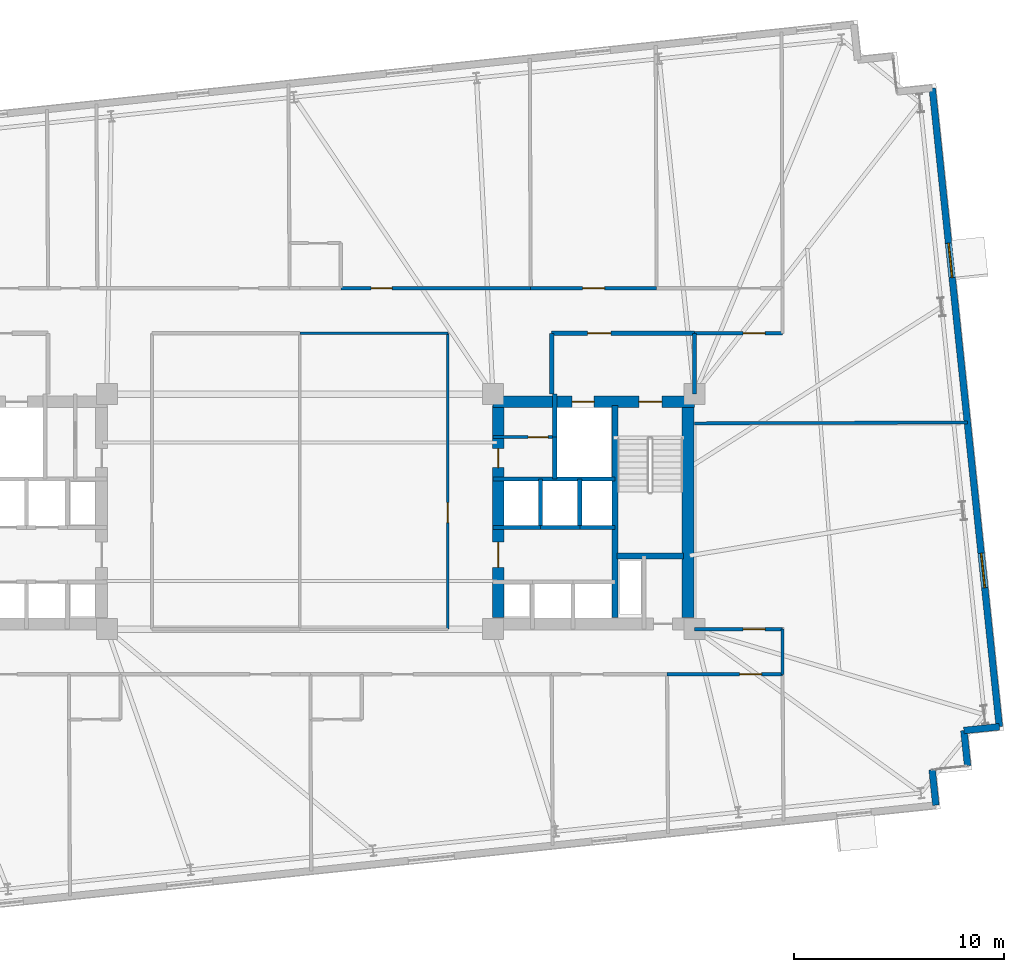
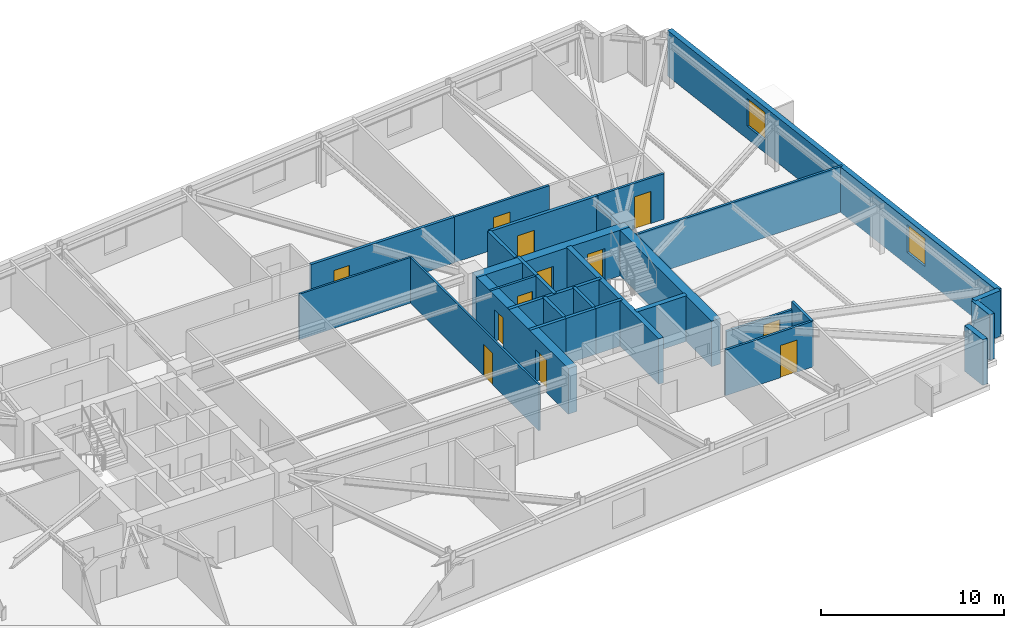
# One storey, part 14 of 18: 30 walls, 12 doors, 2 windows, 14 openings.
"""IFC4 building model written with IfcOpenShell, lengths in metres."""

from ifc_helpers import new_model, si_unit, direction, frame, frame_2d, origin, place, context, subcontext, project, spatial, rectangle, extrude, material, layer, layer_set, type_object, element, fill, save


model = new_model("IFC4")

# Units and contexts
model_context = context("Model", 3, precision=1e-05, world=origin(), true_north=direction((0.0, 1.0)))
body_context = subcontext(model_context, "Body", "Model", "MODEL_VIEW")
ifc_project = project(units=[si_unit("LENGTHUNIT", "METRE"), si_unit("AREAUNIT", "SQUARE_METRE"), si_unit("VOLUMEUNIT", "CUBIC_METRE"), si_unit("PLANEANGLEUNIT", "RADIAN"), si_unit("MASSUNIT", "GRAM", prefix="KILO")], contexts=[model_context])

# Site, building, storey
site_placement = place(None, origin())
site = spatial("IfcSite", under=ifc_project, at=site_placement, CompositionType="ELEMENT")
building_placement = place(site_placement, origin())
building = spatial("IfcBuilding", under=site, at=building_placement, Name="Qobustan Lattice House", CompositionType="ELEMENT")
storey_placement = place(building_placement, frame((0.0, 0.0, 109.14990234375)))
storey = spatial("IfcBuildingStorey", under=building, at=storey_placement, Name="L30", CompositionType="ELEMENT", Elevation=109.14990234375)

# Wall, openings, doors
ifc_material_1 = material(Name="Concrete C60/75", Category="concrete")
ifc_layer_1 = layer(ifc_material_1, 0.56005859375)
ifc_layer_set_1 = layer_set([ifc_layer_1], Name="Concrete C60/75")
wall_type_1 = type_object("IfcWallType", Name="WAL-CORE-600", PredefinedType="SHEAR", material=ifc_layer_set_1)
wall_1_placement = place(storey_placement, frame((9.199951171875, 5.239990234375, 0.0), z_axis=(0.0, 0.0, 1.0), x_axis=(1.0, 0.0, 0.0)))
wall_1 = element("IfcWall", 1, at=wall_1_placement, inside=storey, type_object=wall_type_1, Name="L30 split-core shear wall CE-N", PredefinedType="SHEAR", context=body_context, shape_type="SweptSolid", body=[
    extrude(rectangle(XDim=9.60009765625, YDim=0.56005859375, at=frame_2d((4.800048828125, 0.0))), origin(), (0.0, 0.0, 1.0), 3.045166015625),
])
opening_1_placement = place(wall_1_placement, frame((6.949951171875, 0.0, 0.0)))
opening_1 = element("IfcOpeningElement", 2, at=opening_1_placement, cuts=wall_1, Name="Opening SD-01", PredefinedType="OPENING", context=body_context, shape_type="SweptSolid", body=[
    extrude(rectangle(XDim=1.10009765625, YDim=2.14990234375, at=frame_2d((0.550048828125, 1.074951171875))), frame((0.0, 0.2900390625, 0.0), z_axis=(0.0, -1.0, 0.0), x_axis=(1.0, 0.0, 0.0)), (0.0, 0.0, 1.0), 0.580078125),
])
opening_2_placement = place(wall_1_placement, frame((3.77490234375, 0.0, 0.0)))
opening_2 = element("IfcOpeningElement", 3, at=opening_2_placement, cuts=wall_1, Name="Opening LD-01", PredefinedType="OPENING", context=body_context, shape_type="SweptSolid", body=[
    extrude(rectangle(XDim=1.050048828125, YDim=2.10009765625, at=frame_2d((0.52490234375, 1.050048828125))), frame((0.0, 0.2900390625, 0.0), z_axis=(0.0, -1.0, 0.0), x_axis=(1.0, 0.0, 0.0)), (0.0, 0.0, 1.0), 0.580078125),
])
ifc_material_2 = material(Name="Persian walnut timber and steel frame door", Category="steel")
door_type_1 = type_object("IfcDoorType", Name="DOR-LIFT-LD-1050x2100", OperationType="NOTDEFINED", PredefinedType="DOOR", material=ifc_material_2)
door_1_placement = place(opening_2_placement, origin())
door_1 = element("IfcDoor", 4, at=door_1_placement, inside=storey, type_object=door_type_1, Name="L30 firefighting lift FF-E landing door", OperationType="DOUBLE_DOOR_SLIDING", OverallHeight=2.10009765625, OverallWidth=1.050048828125, PredefinedType="DOOR", context=body_context, shape_type="SweptSolid", body=[
    extrude(rectangle(XDim=1.050048828125, YDim=2.10009765625, at=frame_2d((0.52490234375, 1.050048828125))), frame((0.0, 0.02490234375, 0.0), z_axis=(0.0, -1.0, 0.0), x_axis=(1.0, 0.0, 0.0)), (0.0, 0.0, 1.0), 0.050048828125),
])
fill(opening_2, door_1)
ifc_material_3 = material(Name="Persian walnut timber and steel frame door", Category="steel")
door_type_2 = type_object("IfcDoorType", Name="DOR-STAIR-FD-1100x2150", OperationType="NOTDEFINED", PredefinedType="DOOR", material=ifc_material_3)
door_2_placement = place(opening_1_placement, origin())
door_2 = element("IfcDoor", 5, at=door_2_placement, inside=storey, type_object=door_type_2, Name="L30 exit stair ST-E1 fire door", OperationType="SINGLE_SWING_LEFT", OverallHeight=2.14990234375, OverallWidth=1.10009765625, PredefinedType="DOOR", context=body_context, shape_type="SweptSolid", body=[
    extrude(rectangle(XDim=1.10009765625, YDim=2.14990234375, at=frame_2d((0.550048828125, 1.074951171875))), frame((0.0, 0.02490234375, 0.0), z_axis=(0.0, -1.0, 0.0), x_axis=(1.0, 0.0, 0.0)), (0.0, 0.0, 1.0), 0.050048828125),
])
fill(opening_1, door_2)

wall_2_placement = place(storey_placement, frame((9.449951171875, -5.050048828125, 0.0), z_axis=(0.0, 0.0, 1.0), x_axis=(0.0, 1.0, 0.0)))
wall_2 = element("IfcWall", 6, at=wall_2_placement, inside=storey, type_object=wall_type_1, Name="L30 split-core shear wall CE-W", PredefinedType="SHEAR", context=body_context, shape_type="SweptSolid", body=[
    extrude(rectangle(XDim=10.10009765625, YDim=0.56005859375, at=frame_2d((5.050048828125, 0.0))), origin(), (0.0, 0.0, 1.0), 3.045166015625),
])
opening_3_placement = place(wall_2_placement, frame((7.14990234375, 0.0, 0.0)))
opening_3 = element("IfcOpeningElement", 7, at=opening_3_placement, cuts=wall_2, Name="Opening RD-01", PredefinedType="OPENING", context=body_context, shape_type="SweptSolid", body=[
    extrude(rectangle(XDim=0.89990234375, YDim=2.10009765625, at=frame_2d((0.449951171875, 1.050048828125))), frame((0.0, 0.2900390625, 0.0), z_axis=(0.0, -1.0, 0.0), x_axis=(1.0, 0.0, 0.0)), (0.0, 0.0, 1.0), 0.580078125),
])
opening_4_placement = place(wall_2_placement, frame((2.39990234375, 0.0, 0.0)))
opening_4 = element("IfcOpeningElement", 8, at=opening_4_placement, cuts=wall_2, Name="Opening FD-01", PredefinedType="OPENING", context=body_context, shape_type="SweptSolid", body=[
    extrude(rectangle(XDim=1.199951171875, YDim=2.14990234375, at=frame_2d((0.60009765625, 1.074951171875))), frame((0.0, 0.2900390625, 0.0), z_axis=(0.0, -1.0, 0.0), x_axis=(1.0, 0.0, 0.0)), (0.0, 0.0, 1.0), 0.580078125),
])
ifc_material_4 = material(Name="Persian walnut timber and steel frame door", Category="steel")
door_type_3 = type_object("IfcDoorType", Name="DOR-LOBBY-FD-1200x2150", OperationType="NOTDEFINED", PredefinedType="DOOR", material=ifc_material_4)
door_3_placement = place(opening_4_placement, origin())
door_3 = element("IfcDoor", 9, at=door_3_placement, inside=storey, type_object=door_type_3, Name="L30 East passenger lift lobby fire door", OperationType="SINGLE_SWING_LEFT", OverallHeight=2.14990234375, OverallWidth=1.199951171875, PredefinedType="DOOR", context=body_context, shape_type="SweptSolid", body=[
    extrude(rectangle(XDim=1.199951171875, YDim=2.14990234375, at=frame_2d((0.60009765625, 1.074951171875))), frame((0.0, 0.02490234375, 0.0), z_axis=(0.0, -1.0, 0.0), x_axis=(1.0, 0.0, 0.0)), (0.0, 0.0, 1.0), 0.050048828125),
])
fill(opening_4, door_3)
ifc_material_5 = material(Name="Persian walnut timber and steel frame door", Category="steel")
door_type_4 = type_object("IfcDoorType", Name="DOR-RISER-FD-900x2100", OperationType="NOTDEFINED", PredefinedType="DOOR", material=ifc_material_5)
door_4_placement = place(opening_3_placement, origin())
door_4 = element("IfcDoor", 10, at=door_4_placement, inside=storey, type_object=door_type_4, Name="L30 Housekeeping utility foyer fire door", OperationType="SINGLE_SWING_RIGHT", OverallHeight=2.10009765625, OverallWidth=0.89990234375, PredefinedType="DOOR", context=body_context, shape_type="SweptSolid", body=[
    extrude(rectangle(XDim=0.89990234375, YDim=2.10009765625, at=frame_2d((0.449951171875, 1.050048828125))), frame((0.0, 0.02490234375, 0.0), z_axis=(0.0, -1.0, 0.0), x_axis=(1.0, 0.0, 0.0)), (0.0, 0.0, 1.0), 0.050048828125),
])
fill(opening_3, door_4)

# Walls
wall_3_placement = place(storey_placement, frame((18.489990234375, -5.050048828125, 0.0), z_axis=(0.0, 0.0, 1.0), x_axis=(0.0, 1.0, 0.0)))
element("IfcWall", 11, at=wall_3_placement, inside=storey, type_object=wall_type_1, Name="L30 split-core shear wall CE-E", PredefinedType="SHEAR", context=body_context, shape_type="SweptSolid", body=[
    extrude(rectangle(XDim=10.10009765625, YDim=0.56005859375, at=frame_2d((5.050048828125, 0.0))), origin(), (0.0, 0.0, 1.0), 3.045166015625),
])
ifc_material_6 = material(Name="Concrete C50/60", Category="concrete")
ifc_layer_2 = layer(ifc_material_6, 0.280029296875)
ifc_layer_set_2 = layer_set([ifc_layer_2], Name="Concrete C50/60")
wall_type_2 = type_object("IfcWallType", Name="WAL-CORE-SPINE-280", PredefinedType="SHEAR", material=ifc_layer_set_2)
wall_4_placement = place(storey_placement, frame((15.02001953125, -5.050048828125, 0.0), z_axis=(0.0, 0.0, 1.0), x_axis=(0.0, 1.0, 0.0)))
element("IfcWall", 12, at=wall_4_placement, inside=storey, type_object=wall_type_2, Name="L30 split-core shear wall CE-M", PredefinedType="SHEAR", context=body_context, shape_type="SweptSolid", body=[
    extrude(rectangle(XDim=10.10009765625, YDim=0.300048828125, at=frame_2d((5.050048828125, 0.0))), origin(), (0.0, 0.0, 1.0), 3.045166015625),
])
wall_5_placement = place(storey_placement, frame((15.10009765625, -2.110107421875, 0.0), z_axis=(0.0, 0.0, 1.0), x_axis=(1.0, 0.0, 0.0)))
element("IfcWall", 13, at=wall_5_placement, inside=storey, type_object=wall_type_2, Name="L30 split-core shear wall CE-ST", PredefinedType="SHEAR", context=body_context, shape_type="SweptSolid", body=[
    extrude(rectangle(XDim=3.179931640625, YDim=0.300048828125, at=frame_2d((1.58984375, 0.0))), origin(), (0.0, 0.0, 1.0), 3.045166015625),
])

# Wall, openings, windows
ifc_material_7 = material(Name="Precast concrete C40/50", Category="concrete")
ifc_layer_3 = layer(ifc_material_7, 0.320068359375)
ifc_layer_set_3 = layer_set([ifc_layer_3], Name="Precast concrete C40/50")
wall_type_3 = type_object("IfcWallType", Name="WAL-EXT-STONE-320", PredefinedType="SOLIDWALL", material=ifc_layer_set_3)
wall_6_placement = place(storey_placement, frame((30.134765625, 20.183349609375, 0.0), z_axis=(0.0, 0.0, 1.0), x_axis=(0.104525716865, -0.994522184023, 0.0)))
wall_6 = element("IfcWall", 14, at=wall_6_placement, inside=storey, type_object=wall_type_3, Name="L30 exterior limestone-clad wall 15", PredefinedType="SOLIDWALL", context=body_context, shape_type="SweptSolid", body=[
    extrude(rectangle(XDim=30.60009765625, YDim=0.320068359375, at=frame_2d((15.300048828125, 0.0))), origin(), (0.0, 0.0, 1.0), 3.045166015625),
])
opening_5_placement = place(wall_6_placement, frame((7.42578125, 0.0, 0.85009765625)))
opening_5 = element("IfcOpeningElement", 15, at=opening_5_placement, cuts=wall_6, Name="Opening WN-09", PredefinedType="OPENING", context=body_context, shape_type="SweptSolid", body=[
    extrude(rectangle(XDim=1.64990234375, YDim=1.85009765625, at=frame_2d((0.824951171875, 0.925048828125))), frame((0.0, 0.169921875, 0.0), z_axis=(0.0, -1.0, 0.0), x_axis=(1.0, 0.0, 0.0)), (0.0, 0.0, 1.0), 0.340087890625),
])
opening_6_placement = place(wall_6_placement, frame((22.28515625, 0.0, 0.85009765625)))
opening_6 = element("IfcOpeningElement", 16, at=opening_6_placement, cuts=wall_6, Name="Opening WN-09", PredefinedType="OPENING", context=body_context, shape_type="SweptSolid", body=[
    extrude(rectangle(XDim=1.64990234375, YDim=1.85009765625, at=frame_2d((0.824951171875, 0.925048828125))), frame((0.0, 0.169921875, 0.0), z_axis=(0.0, -1.0, 0.0), x_axis=(1.0, 0.0, 0.0)), (0.0, 0.0, 1.0), 0.340087890625),
])
ifc_material_8 = material(Name="Double-glazed low-E aluminium window", Category="aluminium")
window_type = type_object("IfcWindowType", Name="WIN-STU-1650x1850", PartitioningType="SINGLE_PANEL", PredefinedType="WINDOW", material=ifc_material_8)
window_1_placement = place(opening_5_placement, origin())
window_1 = element("IfcWindow", 17, at=window_1_placement, inside=storey, type_object=window_type, Name="L30 Collaborative tutorial room window", OverallHeight=1.85009765625, OverallWidth=1.64990234375, PartitioningType="SINGLE_PANEL", PredefinedType="WINDOW", context=body_context, shape_type="SweptSolid", body=[
    extrude(rectangle(XDim=1.64990234375, YDim=1.85009765625, at=frame_2d((0.824951171875, 0.925048828125))), frame((0.0, 0.030029296875, 0.0), z_axis=(0.0, -1.0, 0.0), x_axis=(1.0, 0.0, 0.0)), (0.0, 0.0, 1.0), 0.06005859375),
])
fill(opening_5, window_1)
window_2_placement = place(opening_6_placement, origin())
window_2 = element("IfcWindow", 18, at=window_2_placement, inside=storey, type_object=window_type, Name="L30 Fellows reading room window", OverallHeight=1.85009765625, OverallWidth=1.64990234375, PartitioningType="SINGLE_PANEL", PredefinedType="WINDOW", context=body_context, shape_type="SweptSolid", body=[
    extrude(rectangle(XDim=1.64990234375, YDim=1.85009765625, at=frame_2d((0.824951171875, 0.925048828125))), frame((0.0, 0.030029296875, 0.0), z_axis=(0.0, -1.0, 0.0), x_axis=(1.0, 0.0, 0.0)), (0.0, 0.0, 1.0), 0.06005859375),
])
fill(opening_6, window_2)

# Walls
for number, where, z_axis, x_axis, name in (
    (19, (33.333251953125, -10.2490234375, 0.0), (0.0, 0.0, 1.0), (-0.994519608382, -0.104550220202, 0.0), "L30 exterior limestone-clad wall 16"),
    (20, (31.642578125, -10.4267578125, 0.0), (0.0, 0.0, 1.0), (0.104550220202, -0.994519608382, 0.0), "L30 exterior limestone-clad wall 17"),
):
    element("IfcWall", number, at=place(storey_placement, frame(where, z_axis=z_axis, x_axis=x_axis)), inside=storey, type_object=wall_type_3, Name=name, PredefinedType="SOLIDWALL", context=body_context, shape_type="SweptSolid", body=[
        extrude(rectangle(XDim=1.699951171875, YDim=0.320068359375, at=frame_2d((0.85009765625, 0.0))), origin(), (0.0, 0.0, 1.0), 3.045166015625),
    ])
wall_7_placement = place(storey_placement, frame((30.129638671875, -12.295166015625, 0.0), z_axis=(0.0, 0.0, 1.0), x_axis=(0.104565154801, -0.994518038248, 0.0)))
element("IfcWall", 21, at=wall_7_placement, inside=storey, type_object=wall_type_3, Name="L30 exterior limestone-clad wall 19", PredefinedType="SOLIDWALL", context=body_context, shape_type="SweptSolid", body=[
    extrude(rectangle(XDim=1.69970703125, YDim=0.320068359375, at=frame_2d((0.849853515625, 0.0))), origin(), (0.0, 0.0, 1.0), 3.045166015625),
])

# Wall, opening, door
ifc_material_9 = material(Name="Gypsum fireboard acoustic partition", Category="gypsum")
ifc_layer_4 = layer(ifc_material_9, 0.179931640625)
ifc_layer_set_4 = layer_set([ifc_layer_4], Name="Gypsum fireboard acoustic partition")
wall_type_4 = type_object("IfcWallType", Name="WAL-FIRE-180", PredefinedType="PARTITIONING", material=ifc_layer_set_4)
wall_8_placement = place(storey_placement, frame((1.949951171875, 10.64990234375, 0.0), z_axis=(0.0, 0.0, 1.0), x_axis=(1.0, 0.0, 0.0)))
wall_8 = element("IfcWall", 22, at=wall_8_placement, inside=storey, type_object=wall_type_4, Name="L30 interior partition 48", PredefinedType="PARTITIONING", context=body_context, shape_type="SweptSolid", body=[
    extrude(rectangle(XDim=9.050048828125, YDim=0.179931640625, at=frame_2d((4.52490234375, 0.0))), origin(), (0.0, 0.0, 1.0), 3.045166015625),
])
opening_7_placement = place(wall_8_placement, frame((1.44140625, 0.0, 0.0)))
opening_7 = element("IfcOpeningElement", 23, at=opening_7_placement, cuts=wall_8, Name="Opening FD-02", PredefinedType="OPENING", context=body_context, shape_type="SweptSolid", body=[
    extrude(rectangle(XDim=1.0, YDim=2.14990234375, at=frame_2d((0.5, 1.074951171875))), frame((0.0, 0.099853515625, 0.0), z_axis=(0.0, -1.0, 0.0), x_axis=(1.0, 0.0, 0.0)), (0.0, 0.0, 1.0), 0.199951171875),
])
ifc_material_10 = material(Name="Persian walnut timber and steel frame door", Category="steel")
door_type_5 = type_object("IfcDoorType", Name="DOR-UNIT-FD-1000x2150", OperationType="NOTDEFINED", PredefinedType="DOOR", material=ifc_material_10)
door_5_placement = place(opening_7_placement, origin())
door_5 = element("IfcDoor", 24, at=door_5_placement, inside=storey, type_object=door_type_5, Name="L30 North-east floor corridor to Kitchenette and studio apartment L30-N3 door", OperationType="SINGLE_SWING_RIGHT", OverallHeight=2.14990234375, OverallWidth=1.0, PredefinedType="DOOR", context=body_context, shape_type="SweptSolid", body=[
    extrude(rectangle(XDim=1.0, YDim=2.14990234375, at=frame_2d((0.5, 1.074951171875))), frame((0.0, 0.02490234375, 0.0), z_axis=(0.0, -1.0, 0.0), x_axis=(1.0, 0.0, 0.0)), (0.0, 0.0, 1.0), 0.050048828125),
])
fill(opening_7, door_5)

# Wall
ifc_material_11 = material(Name="Lightweight acoustic stud partition", Category="gypsum")
ifc_layer_5 = layer(ifc_material_11, 0.125)
ifc_layer_set_5 = layer_set([ifc_layer_5], Name="Lightweight acoustic stud partition")
wall_type_5 = type_object("IfcWallType", Name="WAL-PART-125", PredefinedType="PARTITIONING", material=ifc_layer_set_5)
wall_9_placement = place(storey_placement, frame((7.050048828125, 8.5, 0.0), z_axis=(0.0, 0.0, 1.0), x_axis=(-1.0, 0.0, 0.0)))
element("IfcWall", 25, at=wall_9_placement, inside=storey, type_object=wall_type_5, Name="L30 interior partition 52", PredefinedType="PARTITIONING", context=body_context, shape_type="SweptSolid", body=[
    extrude(rectangle(XDim=7.050048828125, YDim=0.125, at=frame_2d((3.52490234375, 0.0))), origin(), (0.0, 0.0, 1.0), 3.045166015625),
])

# Wall, opening, door
wall_10_placement = place(storey_placement, frame((7.050048828125, -5.60009765625, 0.0), z_axis=(0.0, 0.0, 1.0), x_axis=(0.0, 1.0, 0.0)))
wall_10 = element("IfcWall", 26, at=wall_10_placement, inside=storey, type_object=wall_type_5, Name="L30 interior partition 69", PredefinedType="PARTITIONING", context=body_context, shape_type="SweptSolid", body=[
    extrude(rectangle(XDim=14.10009765625, YDim=0.125, at=frame_2d((7.050048828125, 0.0))), origin(), (0.0, 0.0, 1.0), 3.045166015625),
])
opening_8_placement = place(wall_10_placement, frame((5.076171875, 0.0, 0.0)))
opening_8 = element("IfcOpeningElement", 27, at=opening_8_placement, cuts=wall_10, Name="Opening ID-01", PredefinedType="OPENING", context=body_context, shape_type="SweptSolid", body=[
    extrude(rectangle(XDim=0.949951171875, YDim=2.10009765625, at=frame_2d((0.47509765625, 1.050048828125))), frame((0.0, 0.072509765625, 0.0), z_axis=(0.0, -1.0, 0.0), x_axis=(1.0, 0.0, 0.0)), (0.0, 0.0, 1.0), 0.14501953125),
])
ifc_material_12 = material(Name="Persian walnut timber and steel frame door", Category="steel")
door_type_6 = type_object("IfcDoorType", Name="DOR-ROOM-950x2100", OperationType="NOTDEFINED", PredefinedType="DOOR", material=ifc_material_12)
door_6_placement = place(opening_8_placement, origin())
door_6 = element("IfcDoor", 28, at=door_6_placement, inside=storey, type_object=door_type_6, Name="L30 East floor link corridor to Focus pod suite door", OperationType="SINGLE_SWING_RIGHT", OverallHeight=2.10009765625, OverallWidth=0.949951171875, PredefinedType="DOOR", context=body_context, shape_type="SweptSolid", body=[
    extrude(rectangle(XDim=0.949951171875, YDim=2.10009765625, at=frame_2d((0.47509765625, 1.050048828125))), frame((0.0, 0.02490234375, 0.0), z_axis=(0.0, -1.0, 0.0), x_axis=(1.0, 0.0, 0.0)), (0.0, 0.0, 1.0), 0.050048828125),
])
fill(opening_8, door_6)

ifc_material_13 = material(Name="Acoustic twin-stud gypsum partition", Category="gypsum")
ifc_layer_6 = layer(ifc_material_13, 0.14990234375)
ifc_layer_set_6 = layer_set([ifc_layer_6], Name="Acoustic twin-stud gypsum partition")
wall_type_6 = type_object("IfcWallType", Name="WAL-PART-150", PredefinedType="PARTITIONING", material=ifc_layer_set_6)
wall_11_placement = place(storey_placement, frame((12.14990234375, 3.550048828125, 0.0), z_axis=(0.0, 0.0, 1.0), x_axis=(-1.0, 0.0, 0.0)))
wall_11 = element("IfcWall", 29, at=wall_11_placement, inside=storey, type_object=wall_type_6, Name="L30 interior partition 25", PredefinedType="PARTITIONING", context=body_context, shape_type="SweptSolid", body=[
    extrude(rectangle(XDim=2.949951171875, YDim=0.14990234375, at=frame_2d((1.47509765625, 0.0))), origin(), (0.0, 0.0, 1.0), 3.045166015625),
])
opening_9_placement = place(wall_11_placement, frame((0.324951171875, 0.0, 0.0)))
opening_9 = element("IfcOpeningElement", 30, at=opening_9_placement, cuts=wall_11, Name="Opening ID-01", PredefinedType="OPENING", context=body_context, shape_type="SweptSolid", body=[
    extrude(rectangle(XDim=0.949951171875, YDim=2.10009765625, at=frame_2d((0.47509765625, 1.050048828125))), frame((0.0, 0.0849609375, 0.0), z_axis=(0.0, -1.0, 0.0), x_axis=(1.0, 0.0, 0.0)), (0.0, 0.0, 1.0), 0.169921875),
])
door_7_placement = place(opening_9_placement, origin())
door_7 = element("IfcDoor", 31, at=door_7_placement, inside=storey, type_object=door_type_6, Name="L30 Housekeeping utility foyer to Cleaner cupboard door", OperationType="SINGLE_SWING_LEFT", OverallHeight=2.10009765625, OverallWidth=0.949951171875, PredefinedType="DOOR", context=body_context, shape_type="SweptSolid", body=[
    extrude(rectangle(XDim=0.949951171875, YDim=2.10009765625, at=frame_2d((0.47509765625, 1.050048828125))), frame((0.0, 0.02490234375, 0.0), z_axis=(0.0, -1.0, 0.0), x_axis=(1.0, 0.0, 0.0)), (0.0, 0.0, 1.0), 0.050048828125),
])
fill(opening_9, door_7)

wall_12_placement = place(storey_placement, frame((23.0, 8.5, 0.0), z_axis=(0.0, 0.0, 1.0), x_axis=(-1.0, 0.0, 0.0)))
wall_12 = element("IfcWall", 32, at=wall_12_placement, inside=storey, type_object=wall_type_6, Name="L30 interior partition 46", PredefinedType="PARTITIONING", context=body_context, shape_type="SweptSolid", body=[
    extrude(rectangle(XDim=4.199951171875, YDim=0.14990234375, at=frame_2d((2.10009765625, 0.0))), origin(), (0.0, 0.0, 1.0), 3.045166015625),
])
opening_10_placement = place(wall_12_placement, frame((0.82861328125, 0.0, 0.0)))
opening_10 = element("IfcOpeningElement", 33, at=opening_10_placement, cuts=wall_12, Name="Opening ID-02", PredefinedType="OPENING", context=body_context, shape_type="SweptSolid", body=[
    extrude(rectangle(XDim=1.050048828125, YDim=2.14990234375, at=frame_2d((0.52490234375, 1.074951171875))), frame((0.0, 0.0849609375, 0.0), z_axis=(0.0, -1.0, 0.0), x_axis=(1.0, 0.0, 0.0)), (0.0, 0.0, 1.0), 0.169921875),
])
ifc_material_14 = material(Name="Persian walnut timber and steel frame door", Category="steel")
door_type_7 = type_object("IfcDoorType", Name="DOR-STUDY-1050x2150", OperationType="NOTDEFINED", PredefinedType="DOOR", material=ifc_material_14)
door_8_placement = place(opening_10_placement, origin())
door_8 = element("IfcDoor", 34, at=door_8_placement, inside=storey, type_object=door_type_7, Name="L30 North-east floor corridor to Collaborative tutorial room door", OperationType="SINGLE_SWING_LEFT", OverallHeight=2.14990234375, OverallWidth=1.050048828125, PredefinedType="DOOR", context=body_context, shape_type="SweptSolid", body=[
    extrude(rectangle(XDim=1.050048828125, YDim=2.14990234375, at=frame_2d((0.52490234375, 1.074951171875))), frame((0.0, 0.02490234375, 0.0), z_axis=(0.0, -1.0, 0.0), x_axis=(1.0, 0.0, 0.0)), (0.0, 0.0, 1.0), 0.050048828125),
])
fill(opening_10, door_8)

wall_13_placement = place(storey_placement, frame((11.0, 10.64990234375, 0.0), z_axis=(0.0, 0.0, 1.0), x_axis=(1.0, 0.0, 0.0)))
wall_13 = element("IfcWall", 35, at=wall_13_placement, inside=storey, type_object=wall_type_6, Name="L30 interior partition 50", PredefinedType="PARTITIONING", context=body_context, shape_type="SweptSolid", body=[
    extrude(rectangle(XDim=6.0, YDim=0.14990234375, at=frame_2d((3.0, 0.0))), origin(), (0.0, 0.0, 1.0), 3.045166015625),
])
opening_11_placement = place(wall_13_placement, frame((2.47509765625, 0.0, 0.0)))
opening_11 = element("IfcOpeningElement", 36, at=opening_11_placement, cuts=wall_13, Name="Opening ID-02", PredefinedType="OPENING", context=body_context, shape_type="SweptSolid", body=[
    extrude(rectangle(XDim=1.050048828125, YDim=2.14990234375, at=frame_2d((0.52490234375, 1.074951171875))), frame((0.0, 0.0849609375, 0.0), z_axis=(0.0, -1.0, 0.0), x_axis=(1.0, 0.0, 0.0)), (0.0, 0.0, 1.0), 0.169921875),
])
door_9_placement = place(opening_11_placement, origin())
door_9 = element("IfcDoor", 37, at=door_9_placement, inside=storey, type_object=door_type_7, Name="L30 North-east floor corridor to Focus study room N4A door", OperationType="SINGLE_SWING_LEFT", OverallHeight=2.14990234375, OverallWidth=1.050048828125, PredefinedType="DOOR", context=body_context, shape_type="SweptSolid", body=[
    extrude(rectangle(XDim=1.050048828125, YDim=2.14990234375, at=frame_2d((0.52490234375, 1.074951171875))), frame((0.0, 0.02490234375, 0.0), z_axis=(0.0, -1.0, 0.0), x_axis=(1.0, 0.0, 0.0)), (0.0, 0.0, 1.0), 0.050048828125),
])
fill(opening_11, door_9)

wall_14_placement = place(storey_placement, frame((18.800048828125, -5.60009765625, 0.0), z_axis=(0.0, 0.0, 1.0), x_axis=(1.0, 0.0, 0.0)))
wall_14 = element("IfcWall", 38, at=wall_14_placement, inside=storey, type_object=wall_type_6, Name="L30 interior partition 60", PredefinedType="PARTITIONING", context=body_context, shape_type="SweptSolid", body=[
    extrude(rectangle(XDim=4.199951171875, YDim=0.14990234375, at=frame_2d((2.10009765625, 0.0))), origin(), (0.0, 0.0, 1.0), 2.530029296875),
])
opening_12_placement = place(wall_14_placement, frame((2.3212890625, 0.0, 0.0)))
opening_12 = element("IfcOpeningElement", 39, at=opening_12_placement, cuts=wall_14, Name="Opening ID-02", PredefinedType="OPENING", context=body_context, shape_type="SweptSolid", body=[
    extrude(rectangle(XDim=1.050048828125, YDim=2.14990234375, at=frame_2d((0.52490234375, 1.074951171875))), frame((0.0, 0.0849609375, 0.0), z_axis=(0.0, -1.0, 0.0), x_axis=(1.0, 0.0, 0.0)), (0.0, 0.0, 1.0), 0.169921875),
])
door_10_placement = place(opening_12_placement, origin())
door_10 = element("IfcDoor", 40, at=door_10_placement, inside=storey, type_object=door_type_7, Name="L30 South-east floor corridor to Fellows reading room door", OperationType="SINGLE_SWING_LEFT", OverallHeight=2.14990234375, OverallWidth=1.050048828125, PredefinedType="DOOR", context=body_context, shape_type="SweptSolid", body=[
    extrude(rectangle(XDim=1.050048828125, YDim=2.14990234375, at=frame_2d((0.52490234375, 1.074951171875))), frame((0.0, 0.02490234375, 0.0), z_axis=(0.0, -1.0, 0.0), x_axis=(1.0, 0.0, 0.0)), (0.0, 0.0, 1.0), 0.050048828125),
])
fill(opening_12, door_10)

# Wall
wall_15_placement = place(storey_placement, frame((23.0, -5.60009765625, 0.0), z_axis=(0.0, 0.0, 1.0), x_axis=(0.0, -1.0, 0.0)))
element("IfcWall", 41, at=wall_15_placement, inside=storey, type_object=wall_type_6, Name="L30 interior partition 61", PredefinedType="PARTITIONING", context=body_context, shape_type="SweptSolid", body=[
    extrude(rectangle(XDim=2.14990234375, YDim=0.14990234375, at=frame_2d((1.074951171875, 0.0))), origin(), (0.0, 0.0, 1.0), 3.045166015625),
])

# Wall, opening, door
wall_16_placement = place(storey_placement, frame((23.0, -7.75, 0.0), z_axis=(0.0, 0.0, 1.0), x_axis=(-1.0, 0.0, 0.0)))
wall_16 = element("IfcWall", 42, at=wall_16_placement, inside=storey, type_object=wall_type_6, Name="L30 interior partition 66", PredefinedType="PARTITIONING", context=body_context, shape_type="SweptSolid", body=[
    extrude(rectangle(XDim=5.5, YDim=0.14990234375, at=frame_2d((2.75, 0.0))), origin(), (0.0, 0.0, 1.0), 3.045166015625),
])
opening_13_placement = place(wall_16_placement, frame((0.9912109375, 0.0, 0.0)))
opening_13 = element("IfcOpeningElement", 43, at=opening_13_placement, cuts=wall_16, Name="Opening ID-02", PredefinedType="OPENING", context=body_context, shape_type="SweptSolid", body=[
    extrude(rectangle(XDim=1.050048828125, YDim=2.14990234375, at=frame_2d((0.52490234375, 1.074951171875))), frame((0.0, 0.0849609375, 0.0), z_axis=(0.0, -1.0, 0.0), x_axis=(1.0, 0.0, 0.0)), (0.0, 0.0, 1.0), 0.169921875),
])
door_11_placement = place(opening_13_placement, origin())
door_11 = element("IfcDoor", 44, at=door_11_placement, inside=storey, type_object=door_type_7, Name="L30 South-east floor corridor to Academic seminar room door", OperationType="SINGLE_SWING_RIGHT", OverallHeight=2.14990234375, OverallWidth=1.050048828125, PredefinedType="DOOR", context=body_context, shape_type="SweptSolid", body=[
    extrude(rectangle(XDim=1.050048828125, YDim=2.14990234375, at=frame_2d((0.52490234375, 1.074951171875))), frame((0.0, 0.02490234375, 0.0), z_axis=(0.0, -1.0, 0.0), x_axis=(1.0, 0.0, 0.0)), (0.0, 0.0, 1.0), 0.050048828125),
])
fill(opening_13, door_11)

# Wall
wall_17_placement = place(storey_placement, frame((18.800048828125, 4.208251953125, 0.0), z_axis=(0.0, 0.0, 1.0), x_axis=(0.9999942944, 0.003378042094, 0.0)))
element("IfcWall", 45, at=wall_17_placement, inside=storey, type_object=wall_type_6, Name="L30 interior partition 73", PredefinedType="PARTITIONING", context=body_context, shape_type="SweptSolid", body=[
    extrude(rectangle(XDim=13.009033203125, YDim=0.14990234375, at=frame_2d((6.50439453125, 0.0))), origin(), (0.0, 0.0, 1.0), 3.045166015625),
])

# Wall, opening, door
ifc_material_15 = material(Name="Two-hour gypsum fireboard acoustic partition", Category="gypsum")
ifc_layer_7 = layer(ifc_material_15, 0.199951171875)
ifc_layer_set_7 = layer_set([ifc_layer_7], Name="Two-hour gypsum fireboard acoustic partition")
wall_type_7 = type_object("IfcWallType", Name="WAL-PROT-200", PredefinedType="PARTITIONING", material=ifc_layer_set_7)
wall_18_placement = place(storey_placement, frame((18.800048828125, 8.5, 0.0), z_axis=(0.0, 0.0, 1.0), x_axis=(-1.0, 0.0, 0.0)))
wall_18 = element("IfcWall", 46, at=wall_18_placement, inside=storey, type_object=wall_type_7, Name="L30 interior partition 22", PredefinedType="PARTITIONING", context=body_context, shape_type="SweptSolid", body=[
    extrude(rectangle(XDim=6.800048828125, YDim=0.199951171875, at=frame_2d((3.39990234375, 0.0))), origin(), (0.0, 0.0, 1.0), 3.045166015625),
])
opening_14_placement = place(wall_18_placement, frame((3.985107421875, 0.0, 0.0)))
opening_14 = element("IfcOpeningElement", 47, at=opening_14_placement, cuts=wall_18, Name="Opening SD-01", PredefinedType="OPENING", context=body_context, shape_type="SweptSolid", body=[
    extrude(rectangle(XDim=1.10009765625, YDim=2.14990234375, at=frame_2d((0.550048828125, 1.074951171875))), frame((0.0, 0.10986328125, 0.0), z_axis=(0.0, -1.0, 0.0), x_axis=(1.0, 0.0, 0.0)), (0.0, 0.0, 1.0), 0.219970703125),
])
door_12_placement = place(opening_14_placement, origin())
door_12 = element("IfcDoor", 48, at=door_12_placement, inside=storey, type_object=door_type_2, Name="L30 East firefighting lift lobby to North-east floor corridor door", OperationType="SINGLE_SWING_RIGHT", OverallHeight=2.14990234375, OverallWidth=1.10009765625, PredefinedType="DOOR", context=body_context, shape_type="SweptSolid", body=[
    extrude(rectangle(XDim=1.10009765625, YDim=2.14990234375, at=frame_2d((0.550048828125, 1.074951171875))), frame((0.0, 0.02490234375, 0.0), z_axis=(0.0, -1.0, 0.0), x_axis=(1.0, 0.0, 0.0)), (0.0, 0.0, 1.0), 0.050048828125),
])
fill(opening_14, door_12)

# Walls
wall_19_placement = place(storey_placement, frame((12.0, 8.5, 0.0), z_axis=(0.0, 0.0, 1.0), x_axis=(0.0, -1.0, 0.0)))
element("IfcWall", 49, at=wall_19_placement, inside=storey, type_object=wall_type_7, Name="L30 interior partition 23", PredefinedType="PARTITIONING", context=body_context, shape_type="SweptSolid", body=[
    extrude(rectangle(XDim=2.89990234375, YDim=0.199951171875, at=frame_2d((1.449951171875, 0.0))), origin(), (0.0, 0.0, 1.0), 3.045166015625),
])
wall_20_placement = place(storey_placement, frame((18.800048828125, 5.60009765625, 0.0), z_axis=(0.0, 0.0, 1.0), x_axis=(0.0, 1.0, 0.0)))
element("IfcWall", 50, at=wall_20_placement, inside=storey, type_object=wall_type_7, Name="L30 interior partition 24", PredefinedType="PARTITIONING", context=body_context, shape_type="SweptSolid", body=[
    extrude(rectangle(XDim=2.89990234375, YDim=0.199951171875, at=frame_2d((1.449951171875, 0.0))), origin(), (0.0, 0.0, 1.0), 2.530029296875),
])
ifc_material_16 = material(Name="Concrete C40/50", Category="concrete")
ifc_layer_8 = layer(ifc_material_16, 0.199951171875)
ifc_layer_set_8 = layer_set([ifc_layer_8], Name="Concrete C40/50")
wall_type_8 = type_object("IfcWallType", Name="WAL-SHAFT-200", PredefinedType="PARTITIONING", material=ifc_layer_set_8)
wall_21_placement = place(storey_placement, frame((12.14990234375, 3.550048828125, 0.0), z_axis=(0.0, 0.0, 1.0), x_axis=(0.0, -1.0, 0.0)))
element("IfcWall", 51, at=wall_21_placement, inside=storey, type_object=wall_type_8, Name="L30 interior partition 20", PredefinedType="PARTITIONING", context=body_context, shape_type="SweptSolid", body=[
    extrude(rectangle(XDim=2.0, YDim=0.199951171875, at=frame_2d((1.0, 0.0))), origin(), (0.0, 0.0, 1.0), 3.045166015625),
])
wall_22_placement = place(storey_placement, frame((12.14990234375, 5.60009765625, 0.0), z_axis=(0.0, 0.0, 1.0), x_axis=(0.0, -1.0, 0.0)))
element("IfcWall", 52, at=wall_22_placement, inside=storey, type_object=wall_type_8, Name="L30 interior partition 21", PredefinedType="PARTITIONING", context=body_context, shape_type="SweptSolid", body=[
    extrude(rectangle(XDim=2.050048828125, YDim=0.199951171875, at=frame_2d((1.02490234375, 0.0))), origin(), (0.0, 0.0, 1.0), 3.045166015625),
])
wall_23_placement = place(storey_placement, frame((11.4599609375, -0.75, 0.0), z_axis=(0.0, 0.0, 1.0), x_axis=(-1.0, 0.0, 0.0)))
element("IfcWall", 53, at=wall_23_placement, inside=storey, type_object=wall_type_8, Name="L30 interior partition 30", PredefinedType="PARTITIONING", context=body_context, shape_type="SweptSolid", body=[
    extrude(rectangle(XDim=2.260009765625, YDim=0.199951171875, at=frame_2d((1.1298828125, 0.0))), origin(), (0.0, 0.0, 1.0), 3.045166015625),
])
wall_24_placement = place(storey_placement, frame((13.340087890625, -0.75, 0.0), z_axis=(0.0, 0.0, 1.0), x_axis=(-1.0, 0.0, 0.0)))
element("IfcWall", 54, at=wall_24_placement, inside=storey, type_object=wall_type_8, Name="L30 interior partition 31", PredefinedType="PARTITIONING", context=body_context, shape_type="SweptSolid", body=[
    extrude(rectangle(XDim=1.880126953125, YDim=0.199951171875, at=frame_2d((0.93994140625, 0.0))), origin(), (0.0, 0.0, 1.0), 3.045166015625),
])
wall_25_placement = place(storey_placement, frame((15.02001953125, -0.75, 0.0), z_axis=(0.0, 0.0, 1.0), x_axis=(-1.0, 0.0, 0.0)))
element("IfcWall", 55, at=wall_25_placement, inside=storey, type_object=wall_type_8, Name="L30 interior partition 32", PredefinedType="PARTITIONING", context=body_context, shape_type="SweptSolid", body=[
    extrude(rectangle(XDim=1.679931640625, YDim=0.199951171875, at=frame_2d((0.83984375, 0.0))), origin(), (0.0, 0.0, 1.0), 3.045166015625),
])
for number, where, z_axis, x_axis, name in (
    (56, (11.4599609375, -0.75, 0.0), (0.0, 0.0, 1.0), (0.0, 1.0, 0.0), "L30 interior partition 36"),
    (57, (13.340087890625, -0.75, 0.0), (0.0, 0.0, 1.0), (0.0, 1.0, 0.0), "L30 interior partition 37"),
):
    element("IfcWall", number, at=place(storey_placement, frame(where, z_axis=z_axis, x_axis=x_axis)), inside=storey, type_object=wall_type_8, Name=name, PredefinedType="PARTITIONING", context=body_context, shape_type="SweptSolid", body=[
        extrude(rectangle(XDim=2.300048828125, YDim=0.199951171875, at=frame_2d((1.14990234375, 0.0))), origin(), (0.0, 0.0, 1.0), 3.045166015625),
    ])
wall_26_placement = place(storey_placement, frame((9.199951171875, 1.550048828125, 0.0), z_axis=(0.0, 0.0, 1.0), x_axis=(1.0, 0.0, 0.0)))
element("IfcWall", 58, at=wall_26_placement, inside=storey, type_object=wall_type_8, Name="L30 interior partition 98", PredefinedType="PARTITIONING", context=body_context, shape_type="SweptSolid", body=[
    extrude(rectangle(XDim=5.820068359375, YDim=0.199951171875, at=frame_2d((2.91015625, 0.0))), origin(), (0.0, 0.0, 1.0), 3.045166015625),
])

save(model, "model.ifc")
